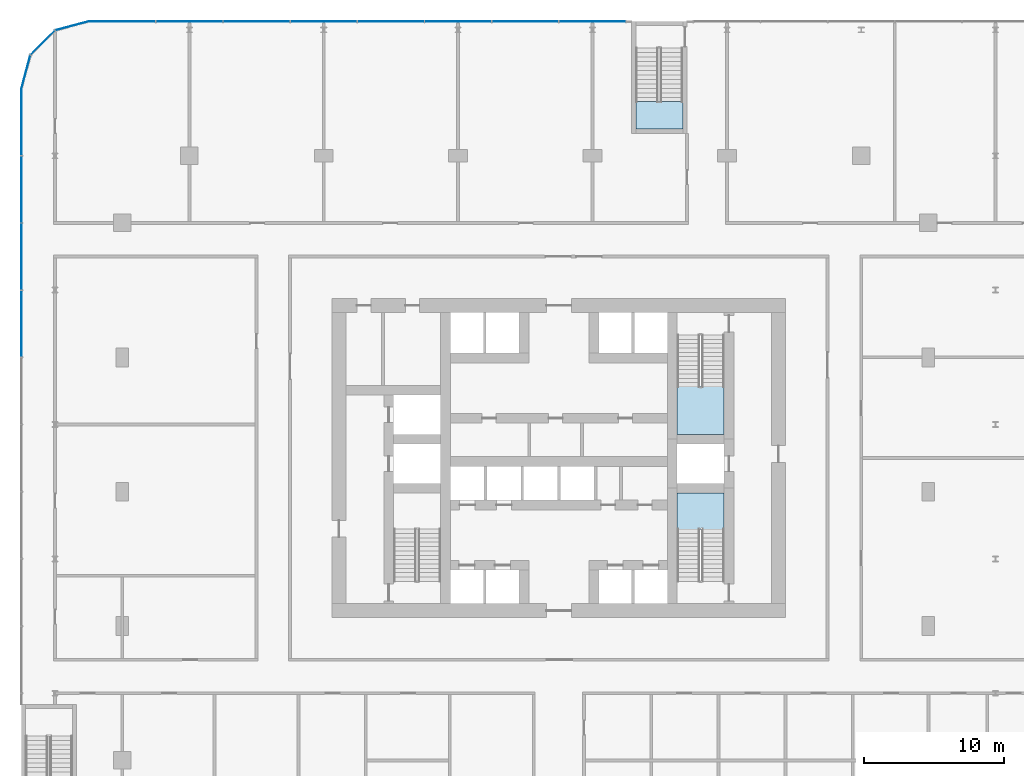
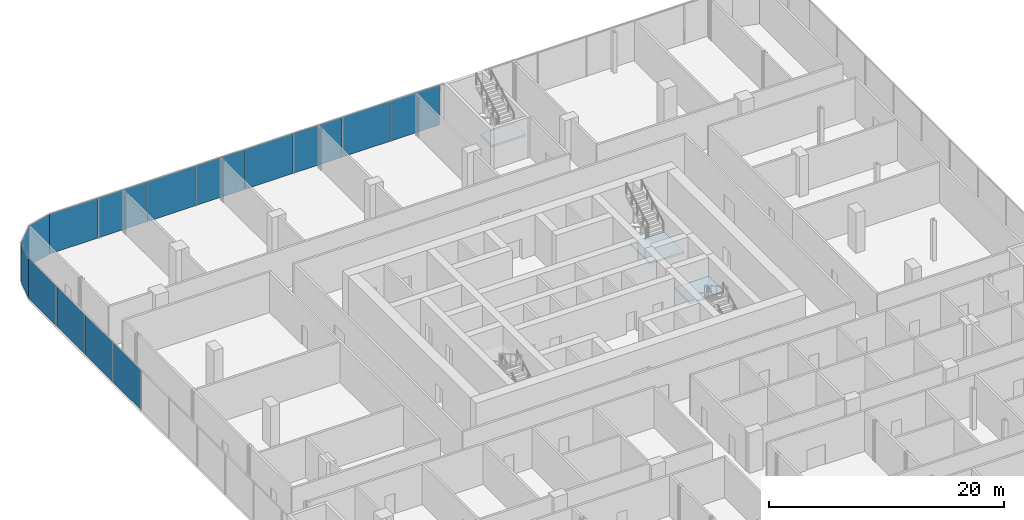
# One storey, part 28 of 45: 15 plates, 3 slabs, 6 elements without a shape of their own.
"""IFC4 building model written with IfcOpenShell, lengths in metres."""

from ifc_helpers import new_model, si_unit, direction, frame, origin, origin_2d, place, context, subcontext, project, spatial, polyline, rectangle, outline, extrude, material, layer, layer_set, type_object, element, aggregate, save


model = new_model("IFC4")

# Units and contexts
model_context = context("Model", 3, precision=1e-05, world=origin(), true_north=direction((0.0, 1.0)))
body_context = subcontext(model_context, "Body", "Model", "MODEL_VIEW")
ifc_project = project(units=[si_unit("LENGTHUNIT", "METRE"), si_unit("AREAUNIT", "SQUARE_METRE"), si_unit("VOLUMEUNIT", "CUBIC_METRE"), si_unit("PLANEANGLEUNIT", "RADIAN"), si_unit("MASSUNIT", "GRAM", prefix="KILO")], contexts=[model_context])

# Site, building, storey
site_placement = place(None, origin())
site = spatial("IfcSite", under=ifc_project, at=site_placement, CompositionType="ELEMENT")
building_placement = place(site_placement, origin())
building = spatial("IfcBuilding", under=site, at=building_placement, Name="Madar Terraces", CompositionType="ELEMENT")
storey_placement = place(building_placement, frame((0.0, 0.0, 6.0)))
storey = spatial("IfcBuildingStorey", under=building, at=storey_placement, Name="L01", CompositionType="ELEMENT", Elevation=6.0)

# Curtain wall, plates
ifc_material_1 = material(Name="Glass, clear low-iron, with black aluminium frame", Category="aluminium")
ifc_layer_1 = layer(ifc_material_1, 0.199951171875)
ifc_layer_set_1 = layer_set([ifc_layer_1], Name="Facade curtain wall, shopfront glazing")
curtain_wall_type = type_object("IfcCurtainWallType", Name="Facade curtain wall, shopfront glazing", PredefinedType="NOTDEFINED", material=ifc_layer_set_1)
curtain_wall_1_placement = place(storey_placement, origin())
curtain_wall_1 = element("IfcCurtainWall", 1, at=curtain_wall_1_placement, inside=storey, type_object=curtain_wall_type, Name="Outer skin curtain wall north bay 1", PredefinedType="NOTDEFINED")
ifc_material_2 = material(Name="Glass, ceramic frit dark grey", Category="glass")
ifc_layer_2 = layer(ifc_material_2, 0.028076171875)
ifc_layer_set_2 = layer_set([ifc_layer_2], Name="Facade glass panel 28")
plate_type = type_object("IfcPlateType", Name="Facade glass panel 28", PredefinedType="CURTAIN_PANEL", material=ifc_layer_set_2)
plate_1_placement = place(storey_placement, frame((33.60009765625, 57.60009765625, 0.0), z_axis=(0.0, 0.0, 1.0), x_axis=(-1.0, 0.0, 0.0)))
plate_1 = element("IfcPlate", 2, at=plate_1_placement, type_object=plate_type, Name="Panel 8", PredefinedType="CURTAIN_PANEL", context=body_context, shape_type="SweptSolid", body=[
    extrude(rectangle(XDim=4.739990234375, YDim=0.028076171875, at=origin_2d()), origin(), (0.0, 0.0, 1.0), 4.139892578125),
])
plate_2_placement = place(storey_placement, frame((28.800048828125, 57.60009765625, 0.0), z_axis=(0.0, 0.0, 1.0), x_axis=(-1.0, 0.0, 0.0)))
plate_2 = element("IfcPlate", 3, at=plate_2_placement, type_object=plate_type, Name="Panel 9", PredefinedType="CURTAIN_PANEL", context=body_context, shape_type="SweptSolid", body=[
    extrude(rectangle(XDim=4.739990234375, YDim=0.028076171875, at=origin_2d()), origin(), (0.0, 0.0, 1.0), 4.139892578125),
])
plate_3_placement = place(storey_placement, frame((24.0, 57.60009765625, 0.0), z_axis=(0.0, 0.0, 1.0), x_axis=(-1.0, 0.0, 0.0)))
plate_3 = element("IfcPlate", 4, at=plate_3_placement, type_object=plate_type, Name="Panel 10", PredefinedType="CURTAIN_PANEL", context=body_context, shape_type="SweptSolid", body=[
    extrude(rectangle(XDim=4.739990234375, YDim=0.028076171875, at=origin_2d()), origin(), (0.0, 0.0, 1.0), 4.139892578125),
])
plate_4_placement = place(storey_placement, frame((19.199951171875, 57.60009765625, 0.0), z_axis=(0.0, 0.0, 1.0), x_axis=(-1.0, 0.0, 0.0)))
plate_4 = element("IfcPlate", 5, at=plate_4_placement, type_object=plate_type, Name="Panel 11", PredefinedType="CURTAIN_PANEL", context=body_context, shape_type="SweptSolid", body=[
    extrude(rectangle(XDim=4.739990234375, YDim=0.028076171875, at=origin_2d()), origin(), (0.0, 0.0, 1.0), 4.139892578125),
])
plate_5_placement = place(storey_placement, frame((14.39990234375, 57.60009765625, 0.0), z_axis=(0.0, 0.0, 1.0), x_axis=(-1.0, 0.0, 0.0)))
plate_5 = element("IfcPlate", 6, at=plate_5_placement, type_object=plate_type, Name="Panel 12", PredefinedType="CURTAIN_PANEL", context=body_context, shape_type="SweptSolid", body=[
    extrude(rectangle(XDim=4.739990234375, YDim=0.028076171875, at=origin_2d()), origin(), (0.0, 0.0, 1.0), 4.139892578125),
])
plate_6_placement = place(storey_placement, frame((9.60009765625, 57.60009765625, 0.0), z_axis=(0.0, 0.0, 1.0), x_axis=(-1.0, 0.0, 0.0)))
plate_6 = element("IfcPlate", 7, at=plate_6_placement, type_object=plate_type, Name="Panel 13", PredefinedType="CURTAIN_PANEL", context=body_context, shape_type="SweptSolid", body=[
    extrude(rectangle(XDim=4.739990234375, YDim=0.028076171875, at=origin_2d()), origin(), (0.0, 0.0, 1.0), 4.139892578125),
])
plate_7_placement = place(storey_placement, frame((4.800048828125, 57.60009765625, 0.0), z_axis=(0.0, 0.0, 1.0), x_axis=(-1.0, 0.0, 0.0)))
plate_7 = element("IfcPlate", 8, at=plate_7_placement, type_object=plate_type, Name="Panel 14", PredefinedType="CURTAIN_PANEL", context=body_context, shape_type="SweptSolid", body=[
    extrude(rectangle(XDim=4.739990234375, YDim=0.028076171875, at=origin_2d()), origin(), (0.0, 0.0, 1.0), 4.139892578125),
])
plate_8_placement = place(storey_placement, frame((-0.014892578125, 57.60009765625, 0.0), z_axis=(0.0, 0.0, 1.0), x_axis=(-1.0, 0.0, 0.0)))
plate_8 = element("IfcPlate", 9, at=plate_8_placement, type_object=plate_type, Name="Panel 15", PredefinedType="CURTAIN_PANEL", context=body_context, shape_type="SweptSolid", body=[
    extrude(rectangle(XDim=4.77001953125, YDim=0.028076171875, at=origin_2d()), origin(), (0.0, 0.0, 1.0), 4.139892578125),
])
aggregate(curtain_wall_1, [plate_1, plate_2, plate_3, plate_4, plate_5, plate_6, plate_7, plate_8])

curtain_wall_2_placement = place(storey_placement, origin())
curtain_wall_2 = element("IfcCurtainWall", 10, at=curtain_wall_2_placement, inside=storey, type_object=curtain_wall_type, Name="Outer skin curtain wall west bay 1", PredefinedType="NOTDEFINED")
plate_9_placement = place(storey_placement, frame((-7.199951171875, 50.4150390625, 0.0), z_axis=(0.0, 0.0, 1.0), x_axis=(0.0, -1.0, 0.0)))
plate_9 = element("IfcPlate", 11, at=plate_9_placement, type_object=plate_type, Name="Panel 1", PredefinedType="CURTAIN_PANEL", context=body_context, shape_type="SweptSolid", body=[
    extrude(rectangle(XDim=4.77001953125, YDim=0.028076171875, at=origin_2d()), origin(), (0.0, 0.0, 1.0), 4.139892578125),
])
plate_10_placement = place(storey_placement, frame((-7.199951171875, 45.60009765625, 0.0), z_axis=(0.0, 0.0, 1.0), x_axis=(0.0, -1.0, 0.0)))
plate_10 = element("IfcPlate", 12, at=plate_10_placement, type_object=plate_type, Name="Panel 2", PredefinedType="CURTAIN_PANEL", context=body_context, shape_type="SweptSolid", body=[
    extrude(rectangle(XDim=4.739990234375, YDim=0.028076171875, at=origin_2d()), origin(), (0.0, 0.0, 1.0), 4.139892578125),
])
plate_11_placement = place(storey_placement, frame((-7.199951171875, 40.800048828125, 0.0), z_axis=(0.0, 0.0, 1.0), x_axis=(0.0, -1.0, 0.0)))
plate_11 = element("IfcPlate", 13, at=plate_11_placement, type_object=plate_type, Name="Panel 3", PredefinedType="CURTAIN_PANEL", context=body_context, shape_type="SweptSolid", body=[
    extrude(rectangle(XDim=4.739990234375, YDim=0.028076171875, at=origin_2d()), origin(), (0.0, 0.0, 1.0), 4.139892578125),
])
plate_12_placement = place(storey_placement, frame((-7.199951171875, 36.0, 0.0), z_axis=(0.0, 0.0, 1.0), x_axis=(0.0, -1.0, 0.0)))
plate_12 = element("IfcPlate", 14, at=plate_12_placement, type_object=plate_type, Name="Panel 4", PredefinedType="CURTAIN_PANEL", context=body_context, shape_type="SweptSolid", body=[
    extrude(rectangle(XDim=4.739990234375, YDim=0.028076171875, at=origin_2d()), origin(), (0.0, 0.0, 1.0), 4.139892578125),
])
aggregate(curtain_wall_2, [plate_9, plate_10, plate_11, plate_12])

curtain_wall_3_placement = place(storey_placement, origin())
curtain_wall_3 = element("IfcCurtainWall", 15, at=curtain_wall_3_placement, inside=storey, type_object=curtain_wall_type, Name="Outer skin curtain wall north-west corner", PredefinedType="NOTDEFINED")
plate_13_placement = place(storey_placement, frame((-3.58544921875, 57.2822265625, 0.0), z_axis=(0.0, 0.0, 1.0), x_axis=(-0.965925832509, -0.258819021888, 0.0)))
plate_13 = element("IfcPlate", 16, at=plate_13_placement, type_object=plate_type, Name="Panel 1", PredefinedType="CURTAIN_PANEL", context=body_context, shape_type="SweptSolid", body=[
    extrude(rectangle(XDim=2.45458984375, YDim=0.028076171875, at=origin_2d()), origin(), (0.0, 0.0, 1.0), 4.139892578125),
])
plate_14_placement = place(storey_placement, frame((-5.678466796875, 56.078369140625, 0.0), z_axis=(0.0, 0.0, 1.0), x_axis=(-0.707106781187, -0.707106781187, 0.0)))
plate_14 = element("IfcPlate", 17, at=plate_14_placement, type_object=plate_type, Name="Panel 2", PredefinedType="CURTAIN_PANEL", context=body_context, shape_type="SweptSolid", body=[
    extrude(rectangle(XDim=2.424560546875, YDim=0.028076171875, at=origin_2d()), origin(), (0.0, 0.0, 1.0), 4.139892578125),
])
plate_15_placement = place(storey_placement, frame((-6.88232421875, 53.985595703125, 0.0), z_axis=(0.0, 0.0, 1.0), x_axis=(-0.258819021888, -0.965925832509, 0.0)))
plate_15 = element("IfcPlate", 18, at=plate_15_placement, type_object=plate_type, Name="Panel 3", PredefinedType="CURTAIN_PANEL", context=body_context, shape_type="SweptSolid", body=[
    extrude(rectangle(XDim=2.45458984375, YDim=0.028076171875, at=origin_2d()), origin(), (0.0, 0.0, 1.0), 4.139892578125),
])
aggregate(curtain_wall_3, [plate_13, plate_14, plate_15])

# Stair, slab
ifc_material_3 = material(Name="Concrete C50/60", Category="concrete")
stair_type_1 = type_object("IfcStairType", Name="Stair ST2 protected exit", PredefinedType="HALF_TURN_STAIR", material=ifc_material_3)
stair_1_placement = place(storey_placement, origin())
stair_1 = element("IfcStair", 19, at=stair_1_placement, inside=storey, type_object=stair_type_1, Name="L01 Protected Exit Stair ST2", PredefinedType="HALF_TURN_STAIR")
ifc_material_4 = material(Name="Concrete C50/60", Category="concrete")
ifc_layer_3 = layer(ifc_material_4, 0.199951171875)
ifc_layer_set_3 = layer_set([ifc_layer_3], Name="Stair landing 200, top +2.25")
slab_type = type_object("IfcSlabType", Name="Stair landing 200, top +2.25", PredefinedType="LANDING", material=ifc_layer_set_3)
slab_1_placement = place(storey_placement, frame((0.0, 0.0, 2.050048828125)))
slab_1 = element("IfcSlab", 20, at=slab_1_placement, type_object=slab_type, Name="ST2 landing 1", PredefinedType="LANDING", context=body_context, shape_type="SweptSolid", body=[
    extrude(outline(polyline([(39.64990234375, 28.10009765625), (43.0, 28.10009765625), (43.0, 31.510009765625), (39.64990234375, 31.510009765625), (39.64990234375, 28.10009765625)])), origin(), (0.0, 0.0, 1.0), 0.199951171875),
])
aggregate(stair_1, [slab_1])

ifc_material_5 = material(Name="Concrete C50/60", Category="concrete")
stair_type_2 = type_object("IfcStairType", Name="Stair ST3 protected exit", PredefinedType="HALF_TURN_STAIR", material=ifc_material_5)
stair_2_placement = place(storey_placement, origin())
stair_2 = element("IfcStair", 21, at=stair_2_placement, inside=storey, type_object=stair_type_2, Name="L01 Protected Exit Stair ST3", PredefinedType="HALF_TURN_STAIR")
slab_2_placement = place(storey_placement, frame((0.0, 0.0, 2.050048828125)))
slab_2 = element("IfcSlab", 22, at=slab_2_placement, type_object=slab_type, Name="ST3 landing 1", PredefinedType="LANDING", context=body_context, shape_type="SweptSolid", body=[
    extrude(outline(polyline([(39.64990234375, 21.2900390625), (43.0, 21.2900390625), (43.0, 23.89990234375), (39.64990234375, 23.89990234375), (39.64990234375, 21.2900390625)])), origin(), (0.0, 0.0, 1.0), 0.199951171875),
])
aggregate(stair_2, [slab_2])

ifc_material_6 = material(Name="Concrete C50/60", Category="concrete")
stair_type_3 = type_object("IfcStairType", Name="Stair PS2 protected exit", PredefinedType="HALF_TURN_STAIR", material=ifc_material_6)
stair_3_placement = place(storey_placement, origin())
stair_3 = element("IfcStair", 23, at=stair_3_placement, inside=storey, type_object=stair_type_3, Name="L01 Protected Exit Stair PS2", PredefinedType="HALF_TURN_STAIR")
slab_3_placement = place(storey_placement, frame((0.0, 0.0, 2.050048828125)))
slab_3 = element("IfcSlab", 24, at=slab_3_placement, type_object=slab_type, Name="PS2 landing 1", PredefinedType="LANDING", context=body_context, shape_type="SweptSolid", body=[
    extrude(outline(polyline([(36.699951171875, 49.89990234375), (40.050048828125, 49.89990234375), (40.050048828125, 51.889892578125), (36.699951171875, 51.889892578125), (36.699951171875, 49.89990234375)])), origin(), (0.0, 0.0, 1.0), 0.199951171875),
])
aggregate(stair_3, [slab_3])

save(model, "model.ifc")
